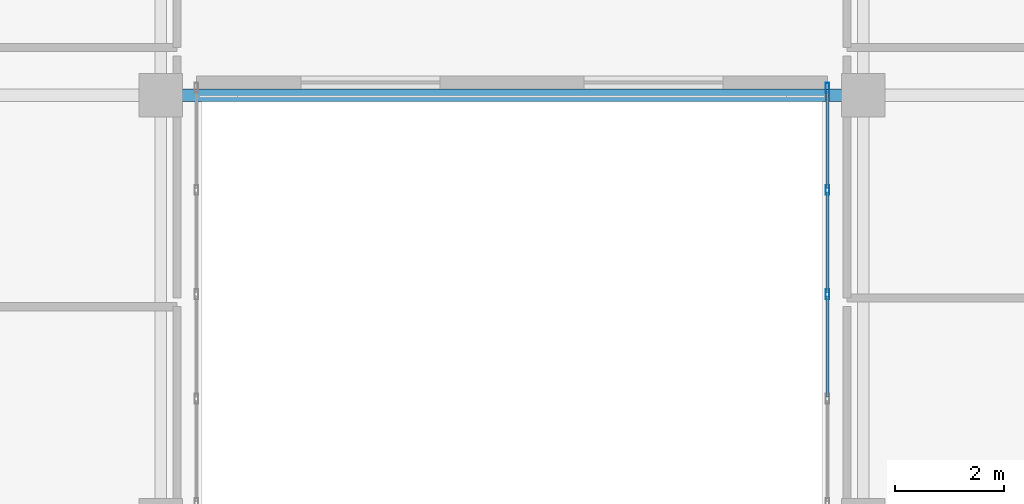
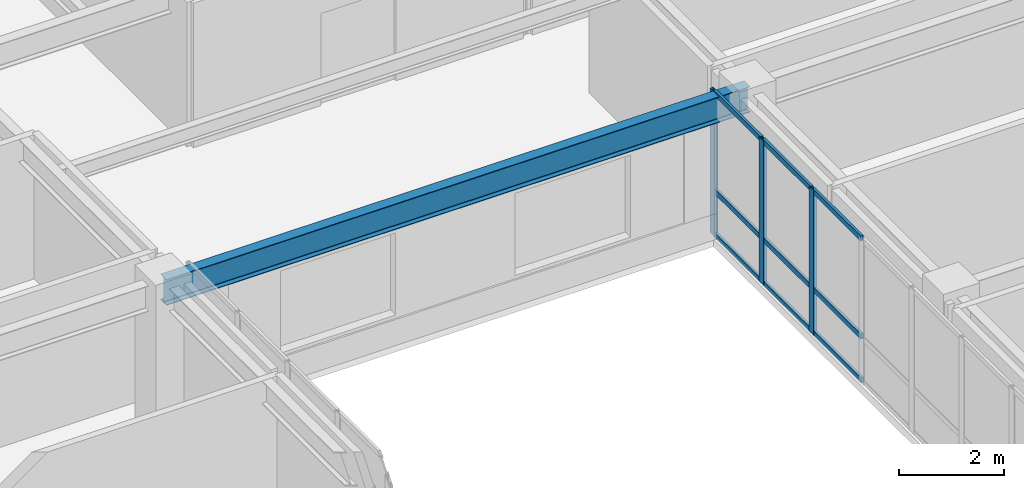
# One storey, part 6 of 21: 12 members, 1 beam, 1 element without a shape of its own.
"""IFC4 building model written with IfcOpenShell, lengths in metres."""

from ifc_helpers import new_model, si_unit, direction, frame, origin, origin_2d, place, context, subcontext, project, spatial, hollow_rectangle, i_section, extrude, source, transform, mapped, material, layer, layer_set, material_profile, profile_set, type_object, type_shapes, element, aggregate, save


model = new_model("IFC4")

# Units and contexts
model_context = context("Model", 3, precision=1e-05, world=origin(), true_north=direction((0.0, 1.0)))
body_context = subcontext(model_context, "Body", "Model", "MODEL_VIEW")
ifc_project = project(units=[si_unit("LENGTHUNIT", "METRE"), si_unit("AREAUNIT", "SQUARE_METRE"), si_unit("VOLUMEUNIT", "CUBIC_METRE"), si_unit("PLANEANGLEUNIT", "RADIAN"), si_unit("MASSUNIT", "GRAM", prefix="KILO")], contexts=[model_context])

# Site, building, storey
site_placement = place(None, origin())
site = spatial("IfcSite", under=ifc_project, at=site_placement, CompositionType="ELEMENT")
building_placement = place(site_placement, origin())
building = spatial("IfcBuilding", under=site, at=building_placement, Name="Tolvann Quenvar Hotel", CompositionType="ELEMENT")
storey_placement = place(building_placement, frame((0.0, 0.0, 161.25)))
storey = spatial("IfcBuildingStorey", under=building, at=storey_placement, Name="L42", CompositionType="ELEMENT", Elevation=161.25)

# Beam
ifc_material_1 = material(Name="Steel Grade 350", Category="steel")
ifc_material_profile_1 = material_profile(ifc_material_1, i_section(OverallWidth=0.22802734375, OverallDepth=0.60205078125, WebThickness=0.010498046875, FlangeThickness=0.014892578125, FilletRadius=0.013916015625, at=origin_2d()), Name="610UB101")
ifc_profile_set_1 = profile_set([ifc_material_profile_1], Name="Steel Grade 350")
beam_type = type_object("IfcBeamType", Name="BM_GIRD_610UB101", PredefinedType="BEAM", material=ifc_profile_set_1)
shared_shape_1 = source(origin(), body_context, "Body", "SweptSolid", [
    extrude(i_section(OverallWidth=0.22802734375, OverallDepth=0.60205078125, WebThickness=0.010498046875, FlangeThickness=0.014892578125, FilletRadius=0.013916015625, at=origin_2d()), origin(), (0.0, 0.0, 1.0), 12.89990234375),
])
type_shapes(beam_type, [shared_shape_1])
beam_placement = place(storey_placement, frame((22.050048828125, 16.0, 3.069091796875), z_axis=(1.0, 0.0, 0.0), x_axis=(0.0, 1.0, 0.0)))
element("IfcBeam", 1, at=beam_placement, inside=storey, type_object=beam_type, Name="BM-L42-EW-4-E4-F4", PredefinedType="BEAM", context=body_context, shape_type="MappedRepresentation", body=[
    mapped(shared_shape_1, transform((0.0, 0.0, 0.0), x_axis=(1.0, 0.0, 0.0), y_axis=(0.0, 1.0, 0.0), z_axis=(0.0, 0.0, 1.0), scale=1.0)),
])

# Curtain wall, members
ifc_material_2 = material(Name="Thermally broken anodised architectural aluminium 6063-T6 and laminated low-E glass", Category="aluminium")
ifc_layer = layer(ifc_material_2, 0.179931640625)
ifc_layer_set = layer_set([ifc_layer], Name="Thermally broken anodised architectural aluminium 6063-T6 and laminated low-E glass")
curtain_wall_type = type_object("IfcCurtainWallType", Name="CW_SYS_SLOT_03", PredefinedType="USERDEFINED", material=ifc_layer_set)
curtain_wall_placement = place(storey_placement, origin())
curtain_wall = element("IfcCurtainWall", 2, at=curtain_wall_placement, inside=storey, type_object=curtain_wall_type, Name="Curtain Wall CW-SLOT-03 (CWR-L42-E07)", ObjectType="UNITISED CURTAIN WALL", PredefinedType="USERDEFINED")
ifc_material_3 = material(Name="Anodised architectural aluminium 6063-T6 framing", Category="aluminium")
ifc_material_profile_2 = material_profile(ifc_material_3, hollow_rectangle(XDim=0.070068359375, YDim=0.179931640625, WallThickness=0.00390625, at=origin_2d()), Name="180x70x4RHS")
ifc_profile_set_2 = profile_set([ifc_material_profile_2], Name="Anodised architectural aluminium 6063-T6 framing")
member_type_1 = type_object("IfcMemberType", Name="CW_MULL_180x70", PredefinedType="MULLION", material=ifc_profile_set_2)
shared_shape_2 = source(origin(), body_context, "Body", "SweptSolid", [
    extrude(hollow_rectangle(XDim=0.070068359375, YDim=0.179931640625, WallThickness=0.00390625, at=origin_2d()), origin(), (0.0, 0.0, 1.0), 3.3701171875),
])
type_shapes(member_type_1, [shared_shape_2])
member_1_placement = place(storey_placement, frame((34.2900390625, 16.139892578125, 0.0), z_axis=(0.0, 0.0, 1.0), x_axis=(1.0, 0.0, 0.0)))
member_1 = element("IfcMember", 3, at=member_1_placement, type_object=member_type_1, Name="CW-SLOT-03 mullion 1", PredefinedType="MULLION", context=body_context, shape_type="MappedRepresentation", body=[
    mapped(shared_shape_2, transform((0.0, 0.0, 0.0), x_axis=(1.0, 0.0, 0.0), y_axis=(0.0, 1.0, 0.0), z_axis=(0.0, 0.0, 1.0), scale=1.0)),
])
member_2_placement = place(storey_placement, frame((34.2900390625, 14.2607421875, 0.0), z_axis=(0.0, 0.0, 1.0), x_axis=(1.0, 0.0, 0.0)))
member_2 = element("IfcMember", 4, at=member_2_placement, type_object=member_type_1, Name="CW-SLOT-03 mullion 2", PredefinedType="MULLION", context=body_context, shape_type="MappedRepresentation", body=[
    mapped(shared_shape_2, transform((0.0, 0.0, 0.0), x_axis=(1.0, 0.0, 0.0), y_axis=(0.0, 1.0, 0.0), z_axis=(0.0, 0.0, 1.0), scale=1.0)),
])
member_3_placement = place(storey_placement, frame((34.2900390625, 12.346435546875, 0.0), z_axis=(0.0, 0.0, 1.0), x_axis=(1.0, 0.0, 0.0)))
member_3 = element("IfcMember", 5, at=member_3_placement, type_object=member_type_1, Name="CW-SLOT-03 mullion 3", PredefinedType="MULLION", context=body_context, shape_type="MappedRepresentation", body=[
    mapped(shared_shape_2, transform((0.0, 0.0, 0.0), x_axis=(1.0, 0.0, 0.0), y_axis=(0.0, 1.0, 0.0), z_axis=(0.0, 0.0, 1.0), scale=1.0)),
])
ifc_material_profile_3 = material_profile(ifc_material_3, hollow_rectangle(XDim=0.06005859375, YDim=0.1201171875, WallThickness=0.00341796875, at=origin_2d()), Name="120x60x3.5RHS")
ifc_profile_set_3 = profile_set([ifc_material_profile_3], Name="Anodised architectural aluminium 6063-T6 framing")
member_type_2 = type_object("IfcMemberType", Name="CW_TRAN_120x60", PredefinedType="USERDEFINED", material=ifc_profile_set_3)
shared_shape_3 = source(origin(), body_context, "Body", "SweptSolid", [
    extrude(hollow_rectangle(XDim=0.06005859375, YDim=0.1201171875, WallThickness=0.00341796875, at=origin_2d()), origin(), (0.0, 0.0, 1.0), 1.809326171875),
])
member_4_placement = place(storey_placement, frame((34.2900390625, 16.10498046875, 0.030029296875), z_axis=(0.0, -1.0, 0.0), x_axis=(1.0, 0.0, 0.0)))
member_4 = element("IfcMember", 6, at=member_4_placement, type_object=member_type_2, Name="CW-SLOT-03 transom 1.1", ObjectType="TRANSOM", PredefinedType="USERDEFINED", context=body_context, shape_type="MappedRepresentation", body=[
    mapped(shared_shape_3, transform((0.0, 0.0, 0.0), x_axis=(1.0, 0.0, 0.0), y_axis=(0.0, 1.0, 0.0), z_axis=(0.0, 0.0, 1.0), scale=1.0)),
])
member_5_placement = place(storey_placement, frame((34.2900390625, 16.10498046875, 1.050048828125), z_axis=(0.0, -1.0, 0.0), x_axis=(1.0, 0.0, 0.0)))
member_5 = element("IfcMember", 7, at=member_5_placement, type_object=member_type_2, Name="CW-SLOT-03 transom 1.2", ObjectType="TRANSOM", PredefinedType="USERDEFINED", context=body_context, shape_type="MappedRepresentation", body=[
    mapped(shared_shape_3, transform((0.0, 0.0, 0.0), x_axis=(1.0, 0.0, 0.0), y_axis=(0.0, 1.0, 0.0), z_axis=(0.0, 0.0, 1.0), scale=1.0)),
])
member_6_placement = place(storey_placement, frame((34.2900390625, 16.10498046875, 3.340087890625), z_axis=(0.0, -1.0, 0.0), x_axis=(1.0, 0.0, 0.0)))
member_6 = element("IfcMember", 8, at=member_6_placement, type_object=member_type_2, Name="CW-SLOT-03 transom 1.3", ObjectType="TRANSOM", PredefinedType="USERDEFINED", context=body_context, shape_type="MappedRepresentation", body=[
    mapped(shared_shape_3, transform((0.0, 0.0, 0.0), x_axis=(1.0, 0.0, 0.0), y_axis=(0.0, 1.0, 0.0), z_axis=(0.0, 0.0, 1.0), scale=1.0)),
])
shared_shape_4 = source(origin(), body_context, "Body", "SweptSolid", [
    extrude(hollow_rectangle(XDim=0.06005859375, YDim=0.1201171875, WallThickness=0.00341796875, at=origin_2d()), origin(), (0.0, 0.0, 1.0), 1.844482421875),
])
type_shapes(member_type_2, [shared_shape_3, shared_shape_4])
member_7_placement = place(storey_placement, frame((34.2900390625, 14.225830078125, 0.030029296875), z_axis=(0.0, -1.0, 0.0), x_axis=(1.0, 0.0, 0.0)))
member_7 = element("IfcMember", 9, at=member_7_placement, type_object=member_type_2, Name="CW-SLOT-03 transom 2.1", ObjectType="TRANSOM", PredefinedType="USERDEFINED", context=body_context, shape_type="MappedRepresentation", body=[
    mapped(shared_shape_4, transform((0.0, 0.0, 0.0), x_axis=(1.0, 0.0, 0.0), y_axis=(0.0, 1.0, 0.0), z_axis=(0.0, 0.0, 1.0), scale=1.0)),
])
member_8_placement = place(storey_placement, frame((34.2900390625, 14.225830078125, 1.050048828125), z_axis=(0.0, -1.0, 0.0), x_axis=(1.0, 0.0, 0.0)))
member_8 = element("IfcMember", 10, at=member_8_placement, type_object=member_type_2, Name="CW-SLOT-03 transom 2.2", ObjectType="TRANSOM", PredefinedType="USERDEFINED", context=body_context, shape_type="MappedRepresentation", body=[
    mapped(shared_shape_4, transform((0.0, 0.0, 0.0), x_axis=(1.0, 0.0, 0.0), y_axis=(0.0, 1.0, 0.0), z_axis=(0.0, 0.0, 1.0), scale=1.0)),
])
member_9_placement = place(storey_placement, frame((34.2900390625, 14.225830078125, 3.340087890625), z_axis=(0.0, -1.0, 0.0), x_axis=(1.0, 0.0, 0.0)))
member_9 = element("IfcMember", 11, at=member_9_placement, type_object=member_type_2, Name="CW-SLOT-03 transom 2.3", ObjectType="TRANSOM", PredefinedType="USERDEFINED", context=body_context, shape_type="MappedRepresentation", body=[
    mapped(shared_shape_4, transform((0.0, 0.0, 0.0), x_axis=(1.0, 0.0, 0.0), y_axis=(0.0, 1.0, 0.0), z_axis=(0.0, 0.0, 1.0), scale=1.0)),
])
member_10_placement = place(storey_placement, frame((34.2900390625, 12.3115234375, 0.030029296875), z_axis=(0.0, -1.0, 0.0), x_axis=(1.0, 0.0, 0.0)))
member_10 = element("IfcMember", 12, at=member_10_placement, type_object=member_type_2, Name="CW-SLOT-03 transom 3.1", ObjectType="TRANSOM", PredefinedType="USERDEFINED", context=body_context, shape_type="MappedRepresentation", body=[
    mapped(shared_shape_4, transform((0.0, 0.0, 0.0), x_axis=(1.0, 0.0, 0.0), y_axis=(0.0, 1.0, 0.0), z_axis=(0.0, 0.0, 1.0), scale=1.0)),
])
member_11_placement = place(storey_placement, frame((34.2900390625, 12.3115234375, 1.050048828125), z_axis=(0.0, -1.0, 0.0), x_axis=(1.0, 0.0, 0.0)))
member_11 = element("IfcMember", 13, at=member_11_placement, type_object=member_type_2, Name="CW-SLOT-03 transom 3.2", ObjectType="TRANSOM", PredefinedType="USERDEFINED", context=body_context, shape_type="MappedRepresentation", body=[
    mapped(shared_shape_4, transform((0.0, 0.0, 0.0), x_axis=(1.0, 0.0, 0.0), y_axis=(0.0, 1.0, 0.0), z_axis=(0.0, 0.0, 1.0), scale=1.0)),
])
member_12_placement = place(storey_placement, frame((34.2900390625, 12.3115234375, 3.340087890625), z_axis=(0.0, -1.0, 0.0), x_axis=(1.0, 0.0, 0.0)))
member_12 = element("IfcMember", 14, at=member_12_placement, type_object=member_type_2, Name="CW-SLOT-03 transom 3.3", ObjectType="TRANSOM", PredefinedType="USERDEFINED", context=body_context, shape_type="MappedRepresentation", body=[
    mapped(shared_shape_4, transform((0.0, 0.0, 0.0), x_axis=(1.0, 0.0, 0.0), y_axis=(0.0, 1.0, 0.0), z_axis=(0.0, 0.0, 1.0), scale=1.0)),
])
aggregate(curtain_wall, [member_1, member_2, member_3, member_4, member_5, member_6, member_7, member_8, member_9, member_10, member_11, member_12])

save(model, "model.ifc")
